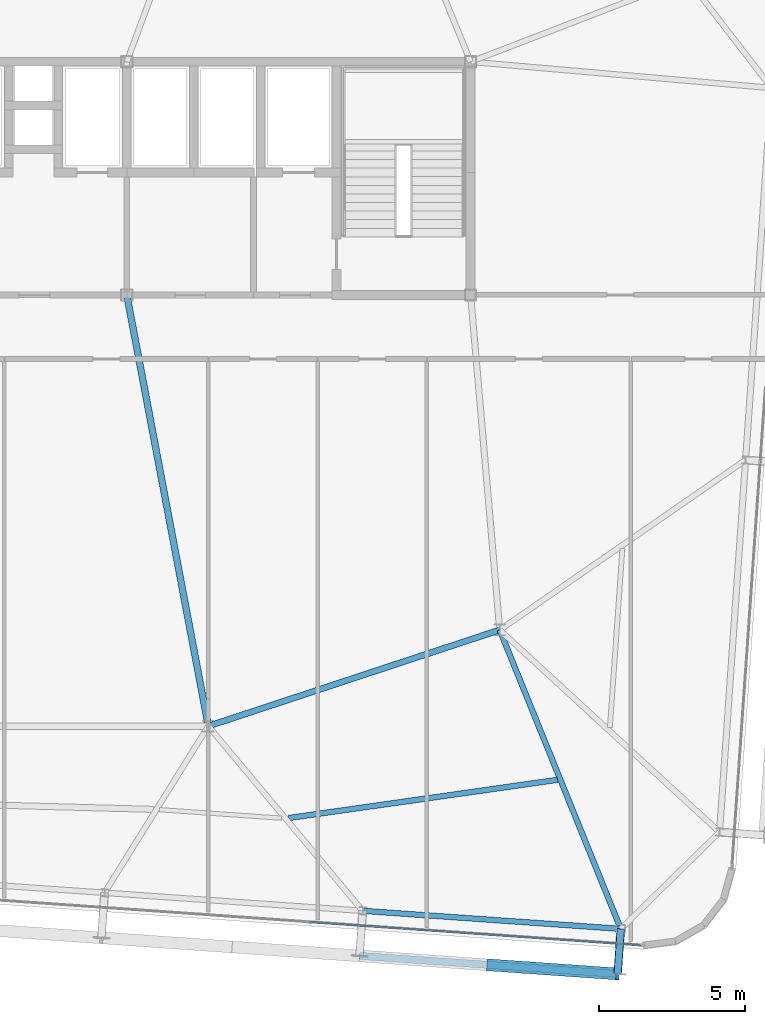
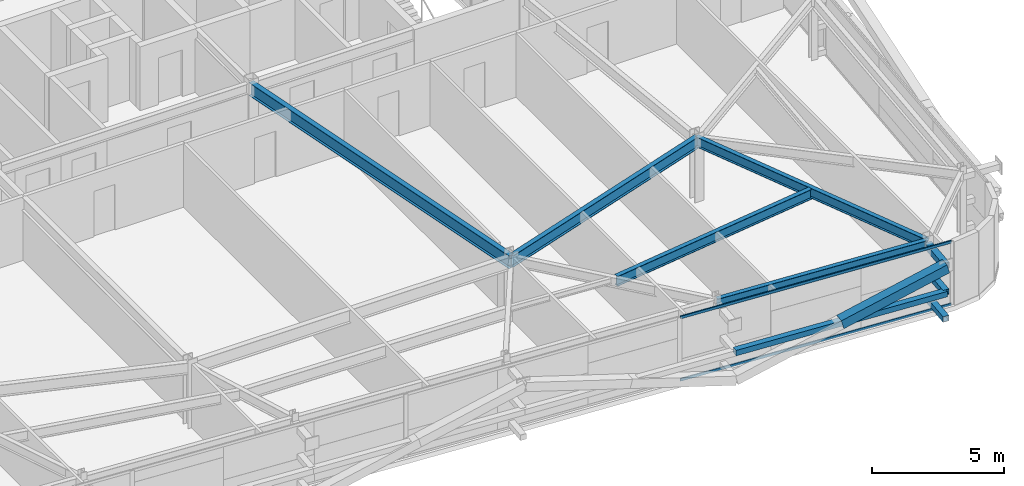
# One storey, part 14 of 39: 7 members, 5 beams, 1 element without a shape of its own.
"""IFC4 building model written with IfcOpenShell, lengths in metres."""

import ifcopenshell
import ifcopenshell.guid

model = None  # the IFC model being written
_history = None  # IfcOwnerHistory: only IFC2X3 demands one
_inside = {}  # id of a spatial element -> (the spatial element, [elements in it])
_under = {}  # id of a project, library or spatial element -> (it, [spatial elements below it])
_declared = {}  # id of a project -> (the project, [libraries it declares])
_typed = {}  # id of a type object -> (the type object, [elements of that type])
_made_of = {}  # id of a material, layer set ... -> (it, [elements and type objects made of it])


def new_model(schema):
    """Start an empty IFC model of exactly this schema.

    Asked for "IFC4X3", IfcOpenShell would pick the latest addendum, in which some entities
    have other attributes; the version numbers below select the first issue.
    IFC2X3 requires an IfcOwnerHistory on every rooted entity: one is made here for all.
    """
    global model, _history
    if schema == "IFC4X3":
        model = ifcopenshell.file(schema_version=(4, 3, 0, 0))
    else:
        model = ifcopenshell.file(schema=schema)
    _inside.clear()
    _under.clear()
    _declared.clear()
    _typed.clear()
    _made_of.clear()
    _history = None
    if model.schema == "IFC2X3":
        org = make("IfcOrganization", Name="unknown")
        user = make(
            "IfcPersonAndOrganization",
            ThePerson=make("IfcPerson", FamilyName="unknown"),
            TheOrganization=org,
        )
        app = make(
            "IfcApplication",
            ApplicationDeveloper=org,
            Version="unknown",
            ApplicationFullName="unknown",
            ApplicationIdentifier="unknown",
        )
        _history = make(
            "IfcOwnerHistory",
            OwningUser=user,
            OwningApplication=app,
            ChangeAction="ADDED",
            CreationDate=0,
        )
    return model


def make(cls, **values):
    """One entity of the class cls with the attributes given. An attribute that is None is left unset."""
    return model.create_entity(
        cls, **{name: value for name, value in values.items() if value is not None}
    )


def rooted(cls, **values):
    """An entity with a GlobalId (a new one), such as an element, a storey or a relation."""
    return make(cls, GlobalId=ifcopenshell.guid.new(), OwnerHistory=_history, **values)


def si_unit(unit_type, name, prefix=None):
    """IfcSIUnit, for example si_unit("LENGTHUNIT", "METRE", prefix="MILLI")."""
    return make("IfcSIUnit", UnitType=unit_type, Prefix=prefix, Name=name)


def assignment(units):
    """IfcUnitAssignment: the units of a project."""
    return None if units is None else make("IfcUnitAssignment", Units=units)


def point(xyz):
    """IfcCartesianPoint."""
    return None if xyz is None else make("IfcCartesianPoint", Coordinates=xyz)


def direction(xyz):
    """IfcDirection."""
    return None if xyz is None else make("IfcDirection", DirectionRatios=xyz)


def frame(location, z_axis=None, x_axis=None):
    """IfcAxis2Placement3D, a coordinate frame: its origin and axes. An axis left out is left unset."""
    return make(
        "IfcAxis2Placement3D",
        Location=point(location),
        Axis=direction(z_axis),
        RefDirection=direction(x_axis),
    )


def frame_2d(location, x_axis=None):
    """IfcAxis2Placement2D, a coordinate frame in the plane: its origin and x axis."""
    return make(
        "IfcAxis2Placement2D", Location=point(location), RefDirection=direction(x_axis)
    )


def origin():
    """The frame at (0, 0, 0) with its axes left unset."""
    return frame((0.0, 0.0, 0.0))


def origin_2d():
    """The frame at (0, 0) in the plane with its x axis left unset."""
    return frame_2d((0.0, 0.0))


def place(relative_to, where):
    """IfcLocalPlacement: puts the frame where relative to a parent placement (None: the world)."""
    return make(
        "IfcLocalPlacement", PlacementRelTo=relative_to, RelativePlacement=where
    )


def context(
    kind, dimensions, precision=None, world=None, true_north=None, identifier=None
):
    """IfcGeometricRepresentationContext, for example the 3D "Model" context."""
    return make(
        "IfcGeometricRepresentationContext",
        ContextIdentifier=identifier,
        ContextType=kind,
        CoordinateSpaceDimension=dimensions,
        Precision=precision,
        WorldCoordinateSystem=world,
        TrueNorth=true_north,
    )


def subcontext(parent, identifier, kind, view, scale=None):
    """IfcGeometricRepresentationSubContext, for example "Body" below "Model"."""
    return make(
        "IfcGeometricRepresentationSubContext",
        ContextIdentifier=identifier,
        ContextType=kind,
        ParentContext=parent,
        TargetScale=scale,
        TargetView=view,
    )


def project(units=None, contexts=None):
    """IfcProject with its units and contexts."""
    return rooted(
        "IfcProject",
        Name="project",
        RepresentationContexts=contexts,
        UnitsInContext=assignment(units),
    )


def spatial(cls, under=None, at=None, **own):
    """A site, building, storey or space (cls), placed at a placement, below another one or the project."""
    s = rooted(cls, ObjectPlacement=at, **own)
    if under is not None:
        _under.setdefault(under.id(), (under, []))[1].append(s)
    return s


def profile(cls, at=None, kind="AREA", **sizes):
    """A parametric profile (cls). Its sizes go by their IFC names, for example OverallWidth=200.0."""
    return make(cls, ProfileType=kind, Position=at, **sizes)


def hollow_rectangle(**sizes):
    """IfcRectangleHollowProfileDef."""
    return profile("IfcRectangleHollowProfileDef", **sizes)


def i_section(**sizes):
    """IfcIShapeProfileDef."""
    return profile("IfcIShapeProfileDef", **sizes)


def extrude(swept, where, along, depth):
    """IfcExtrudedAreaSolid: the profile swept, set in the frame where, extruded along a direction by depth."""
    return make(
        "IfcExtrudedAreaSolid",
        SweptArea=swept,
        Position=where,
        ExtrudedDirection=direction(along),
        Depth=depth,
    )


def shape(context_of_items, identifier, shape_type, items):
    """IfcShapeRepresentation: the items that make up one representation, for example the "Body"."""
    return make(
        "IfcShapeRepresentation",
        ContextOfItems=context_of_items,
        RepresentationIdentifier=identifier,
        RepresentationType=shape_type,
        Items=items,
    )


def source(mapping_origin, context_of_items, identifier, shape_type, items):
    """IfcRepresentationMap: a shape defined once, which mapped items show again and again."""
    return make(
        "IfcRepresentationMap",
        MappingOrigin=mapping_origin,
        MappedRepresentation=shape(context_of_items, identifier, shape_type, items),
    )


def transform(
    local_origin,
    x_axis=None,
    y_axis=None,
    z_axis=None,
    scale=None,
    scale2=None,
    scale3=None,
    uniform=True,
):
    """IfcCartesianTransformationOperator3D, or its non-uniform kind. x_axis, y_axis, z_axis: its Axis1, 2, 3."""
    if uniform:
        return make(
            "IfcCartesianTransformationOperator3D",
            Axis1=direction(x_axis),
            Axis2=direction(y_axis),
            LocalOrigin=point(local_origin),
            Scale=scale,
            Axis3=direction(z_axis),
        )
    return make(
        "IfcCartesianTransformationOperator3DnonUniform",
        Axis1=direction(x_axis),
        Axis2=direction(y_axis),
        LocalOrigin=point(local_origin),
        Scale=scale,
        Axis3=direction(z_axis),
        Scale2=scale2,
        Scale3=scale3,
    )


def mapped(mapping_source, mapping_target):
    """IfcMappedItem: shows the shape of a source again, moved by a transform."""
    return make(
        "IfcMappedItem", MappingSource=mapping_source, MappingTarget=mapping_target
    )


def material(Name=None, Category=None):
    """IfcMaterial."""
    return make("IfcMaterial", Name=Name, Category=Category)


def layer(
    of_material, thickness, ventilated=None, Name=None, Category=None, Priority=None
):
    """IfcMaterialLayer: one layer of a wall or slab, of a material (None: an air gap)."""
    return make(
        "IfcMaterialLayer",
        Material=of_material,
        LayerThickness=thickness,
        IsVentilated=ventilated,
        Name=Name,
        Category=Category,
        Priority=Priority,
    )


def layer_set(layers, Name=None):
    """IfcMaterialLayerSet."""
    return make("IfcMaterialLayerSet", MaterialLayers=layers, LayerSetName=Name)


def material_profile(
    of_material, cross_section, Name=None, Category=None, Priority=None
):
    """IfcMaterialProfile: a cross section and its material."""
    return make(
        "IfcMaterialProfile",
        Name=Name,
        Material=of_material,
        Profile=cross_section,
        Priority=Priority,
        Category=Category,
    )


def profile_set(profiles, Name=None, composite=None):
    """IfcMaterialProfileSet."""
    return make(
        "IfcMaterialProfileSet",
        Name=Name,
        MaterialProfiles=profiles,
        CompositeProfile=composite,
    )


def made_of(thing, what):
    """Note that an element or type object is made of a material, layer set ...; save() writes the relation."""
    if what is not None:
        _made_of.setdefault(what.id(), (what, []))[1].append(thing)
    return thing


def type_object(cls, material=None, **own):
    """A type object (cls), such as IfcWallType, which elements share."""
    return made_of(rooted(cls, **own), material)


def element(
    cls,
    number,
    at=None,
    inside=None,
    cuts=None,
    type_object=None,
    material=None,
    context=None,
    identifier="Body",
    shape_type=None,
    held_by="IfcProductDefinitionShape",
    body=None,
    shapes=None,
    **own,
):
    """One element of the class cls, such as IfcWall. Its Tag is "e" and its number.

    at: its placement. inside: the storey or other place that contains it. cuts: it is an
    opening in that element (IfcRelVoidsElement). A single representation is given by context,
    identifier, shape_type and body (its items); several are given by shapes. held_by: the class
    of the entity that holds the representations. save() writes the other relations.
    """
    e = rooted(cls, Tag="e%d" % number, ObjectPlacement=at, **own)
    if body is not None:
        shapes = [shape(context, identifier, shape_type, body)]
    if shapes is not None:
        e.Representation = make(held_by, Representations=shapes)
    if inside is not None:
        _inside.setdefault(inside.id(), (inside, []))[1].append(e)
    if cuts is not None:
        rooted(
            "IfcRelVoidsElement", RelatingBuildingElement=cuts, RelatedOpeningElement=e
        )
    if type_object is not None:
        _typed.setdefault(type_object.id(), (type_object, []))[1].append(e)
    return made_of(e, material)


def aggregate(whole, parts):
    """IfcRelAggregates: a whole, such as a stair, and the parts it consists of."""
    return rooted("IfcRelAggregates", RelatingObject=whole, RelatedObjects=parts)


def save(model, path):
    """Write the relations noted so far, then the file.

    IfcRelAggregates (storeys below a building ...), IfcRelContainedInSpatialStructure (elements
    in a storey), IfcRelDefinesByType, IfcRelAssociatesMaterial and IfcRelDeclares: one each for
    every whole, place, type object, material and project.
    """
    for whole, parts in _under.values():
        aggregate(whole, parts)
    for where, things in _inside.values():
        rooted(
            "IfcRelContainedInSpatialStructure",
            RelatedElements=things,
            RelatingStructure=where,
        )
    for kind, things in _typed.values():
        rooted("IfcRelDefinesByType", RelatedObjects=things, RelatingType=kind)
    for what, things in _made_of.values():
        rooted("IfcRelAssociatesMaterial", RelatedObjects=things, RelatingMaterial=what)
    for by, libraries in _declared.values():
        rooted("IfcRelDeclares", RelatingContext=by, RelatedDefinitions=libraries)
    model.write(path)


model = new_model("IFC4")

# Units and contexts
model_context = context("Model", 3, precision=1e-05, world=origin(), true_north=direction((0.0, 1.0)))
body_context = subcontext(model_context, "Body", "Model", "MODEL_VIEW")
ifc_project = project(units=[si_unit("LENGTHUNIT", "METRE"), si_unit("AREAUNIT", "SQUARE_METRE"), si_unit("VOLUMEUNIT", "CUBIC_METRE"), si_unit("PLANEANGLEUNIT", "RADIAN"), si_unit("MASSUNIT", "GRAM", prefix="KILO")], contexts=[model_context])

# Site, building, storey
site_placement = place(None, origin())
site = spatial("IfcSite", under=ifc_project, at=site_placement, CompositionType="ELEMENT")
building_placement = place(site_placement, origin())
building = spatial("IfcBuilding", under=site, at=building_placement, Name="Taldren Reach Tower", CompositionType="ELEMENT")
storey_placement = place(building_placement, frame((0.0, 0.0, 151.89990234375)))
storey = spatial("IfcBuildingStorey", under=building, at=storey_placement, Name="L46", CompositionType="ELEMENT", Elevation=151.89990234375)

# Beams
ifc_material_1 = material(Name="Steel Gr 350 (350PLUS)", Category="steel")
ifc_material_profile_1 = material_profile(ifc_material_1, i_section(OverallWidth=0.208984375, OverallDepth=0.532958984375, WebThickness=0.01025390625, FlangeThickness=0.015625, at=origin_2d()), Name="530UB92.4")
ifc_profile_set_1 = profile_set([ifc_material_profile_1], Name="Steel Gr 350 (350PLUS)")
beam_type_1 = type_object("IfcBeamType", Name="BM-UB530A", PredefinedType="BEAM", material=ifc_profile_set_1)
shared_shape_1 = source(origin(), body_context, "Body", "SweptSolid", [
    extrude(i_section(OverallWidth=0.208984375, OverallDepth=0.532958984375, WebThickness=0.01025390625, FlangeThickness=0.015625, at=origin_2d()), origin(), (0.0, 0.0, 1.0), 10.530517578125),
])
beam_1_placement = place(storey_placement, frame((42.0, 9.199951171875, 2.66357421875), z_axis=(0.949627269203, 0.313381635689, 0.0), x_axis=(-0.313381635689, 0.949627269203, 0.0)))
element("IfcBeam", 1, at=beam_1_placement, inside=storey, type_object=beam_type_1, Name="Core-spine girder L46-SP12", PredefinedType="BEAM", context=body_context, shape_type="MappedRepresentation", body=[
    mapped(shared_shape_1, transform((0.0, 0.0, 0.0), scale=1.0)),
])
ifc_material_profile_2 = material_profile(ifc_material_1, i_section(OverallWidth=0.22802734375, OverallDepth=0.60205078125, WebThickness=0.010498046875, FlangeThickness=0.014892578125, at=origin_2d()), Name="610UB101")
ifc_profile_set_2 = profile_set([ifc_material_profile_2], Name="Steel Gr 350 (350PLUS)")
beam_type_2 = type_object("IfcBeamType", Name="BM-UB610B", PredefinedType="BEAM", material=ifc_profile_set_2)
shared_shape_2 = source(origin(), body_context, "Body", "SweptSolid", [
    extrude(i_section(OverallWidth=0.22802734375, OverallDepth=0.60205078125, WebThickness=0.010498046875, FlangeThickness=0.014892578125, at=origin_2d()), origin(), (0.0, 0.0, 1.0), 15.0625),
])
beam_2_placement = place(storey_placement, frame((39.199951171875, 24.0, 2.629150390625), z_axis=(0.185894205668, -0.982569765614, 0.0), x_axis=(0.982569765614, 0.185894205668, 0.0)))
element("IfcBeam", 2, at=beam_2_placement, inside=storey, type_object=beam_type_2, Name="Core-spine girder L46-SP15", PredefinedType="BEAM", context=body_context, shape_type="MappedRepresentation", body=[
    mapped(shared_shape_2, transform((0.0, 0.0, 0.0), scale=1.0)),
])

# Members
ifc_material_2 = material(Name="Steel Gr 450 (C450L0)", Category="steel")
ifc_material_profile_3 = material_profile(ifc_material_2, hollow_rectangle(XDim=0.27490234375, YDim=0.27490234375, WallThickness=0.00927734375, at=origin_2d()), Name="275x275x9.3SHS")
ifc_profile_set_3 = profile_set([ifc_material_profile_3], Name="Steel Gr 450 (C450L0)")
member_type_1 = type_object("IfcMemberType", Name="MB-TIE273", PredefinedType="STRUT", material=ifc_profile_set_3)
shared_shape_3 = source(origin(), body_context, "Body", "SweptSolid", [
    extrude(hollow_rectangle(XDim=0.27490234375, YDim=0.27490234375, WallThickness=0.00927734375, at=origin_2d()), origin(), (0.0, 0.0, 1.0), 1.5498046875),
])
member_1_placement = place(storey_placement, frame((56.155517578125, 2.2412109375, 2.650146484375), z_axis=(-0.069780535098, -0.997562367434, 0.0), x_axis=(0.997562367434, -0.069780535098, 0.0)))
element("IfcMember", 3, at=member_1_placement, inside=storey, type_object=member_type_1, Name="Exoskeleton diaphragm tie strut B3-S6 L46", PredefinedType="STRUT", context=body_context, shape_type="MappedRepresentation", body=[
    mapped(shared_shape_3, transform((0.0, 0.0, 0.0), scale=1.0)),
])
ifc_material_3 = material(Name="Steel Gr 350 (C350L0)", Category="steel")
ifc_material_profile_4 = material_profile(ifc_material_3, hollow_rectangle(XDim=0.25, YDim=0.25, WallThickness=0.010009765625, at=origin_2d()), Name="250x250x10.0SHS")
ifc_profile_set_4 = profile_set([ifc_material_profile_4], Name="Steel Gr 350 (C350L0)")
member_type_2 = type_object("IfcMemberType", Name="MB-POST250", PredefinedType="POST", material=ifc_profile_set_4)
shared_shape_4 = source(origin(), body_context, "Body", "SweptSolid", [
    extrude(hollow_rectangle(XDim=0.25, YDim=0.25, WallThickness=0.010009765625, at=origin_2d()), origin(), (0.0, 0.0, 1.0), 1.5498046875),
])
for number, where, z_axis, x_axis, name in (
    (4, (56.155517578125, 2.2412109375, 0.22021484375), (-0.069780535098, -0.997562367434, 0.0), (0.997562367434, -0.069780535098, 0.0), "Exoskeleton base diaphragm tie strut B3-S6 L46"),
    (5, (56.155517578125, 2.2412109375, 1.43505859375), (-0.069780535098, -0.997562367434, 0.0), (0.997562367434, -0.069780535098, 0.0), "Exoskeleton mid-tier diaphragm tie B3-S6 L46"),
):
    element("IfcMember", number, at=place(storey_placement, frame(where, z_axis=z_axis, x_axis=x_axis)), inside=storey, type_object=member_type_2, Name=name, PredefinedType="POST", context=body_context, shape_type="MappedRepresentation", body=[
        mapped(shared_shape_4, transform((0.0, 0.0, 0.0), scale=1.0)),
    ])

# Beams
ifc_material_profile_5 = material_profile(ifc_material_1, i_section(OverallWidth=0.18994140625, OverallDepth=0.4541015625, WebThickness=0.008544921875, FlangeThickness=0.0126953125, at=origin_2d()), Name="460UB67.1")
ifc_profile_set_5 = profile_set([ifc_material_profile_5], Name="Steel Gr 350 (350PLUS)")
beam_type_3 = type_object("IfcBeamType", Name="SP-UB460B", PredefinedType="SPANDREL", material=ifc_profile_set_5)
shared_shape_5 = source(origin(), body_context, "Body", "SweptSolid", [
    extrude(i_section(OverallWidth=0.18994140625, OverallDepth=0.4541015625, WebThickness=0.008544921875, FlangeThickness=0.0126953125, at=origin_2d()), origin(), (0.0, 0.0, 1.0), 8.880126953125),
])
beam_3_placement = place(storey_placement, frame((47.297119140625, 2.860595703125, 2.703125), z_axis=(0.997564479639, -0.069750333063, 0.0), x_axis=(0.069750333063, 0.997564479639, 0.0)))
element("IfcBeam", 6, at=beam_3_placement, inside=storey, type_object=beam_type_3, Name="Perimeter spandrel B3 S5-S6 L46", PredefinedType="SPANDREL", context=body_context, shape_type="MappedRepresentation", body=[
    mapped(shared_shape_5, transform((0.0, 0.0, 0.0), scale=1.0)),
])
ifc_material_profile_6 = material_profile(ifc_material_1, i_section(OverallWidth=0.19091796875, OverallDepth=0.4599609375, WebThickness=0.010009765625, FlangeThickness=0.01611328125, at=origin_2d()), Name="460UB82.1")
ifc_profile_set_6 = profile_set([ifc_material_profile_6], Name="Steel Gr 350 (350PLUS)")
beam_type_4 = type_object("IfcBeamType", Name="BM-UB460A", PredefinedType="BEAM", material=ifc_profile_set_6)
shared_shape_6 = source(origin(), body_context, "Body", "SweptSolid", [
    extrude(i_section(OverallWidth=0.19091796875, OverallDepth=0.4599609375, WebThickness=0.010009765625, FlangeThickness=0.01611328125, at=origin_2d()), origin(), (0.0, 0.0, 1.0), 11.068359375),
])
beam_4_placement = place(storey_placement, frame((52.0, 12.5, 2.7001953125), z_axis=(0.375437319636, -0.92684778633, 0.0), x_axis=(0.92684778633, 0.375437319636, 0.0)))
element("IfcBeam", 7, at=beam_4_placement, inside=storey, type_object=beam_type_4, Name="Primary floor girder B3-S6 L46", PredefinedType="BEAM", context=body_context, shape_type="MappedRepresentation", body=[
    mapped(shared_shape_6, transform((0.0, 0.0, 0.0), scale=1.0)),
])
shared_shape_7 = source(origin(), body_context, "Body", "SweptSolid", [
    extrude(i_section(OverallWidth=0.19091796875, OverallDepth=0.4599609375, WebThickness=0.010009765625, FlangeThickness=0.01611328125, at=origin_2d()), origin(), (0.0, 0.0, 1.0), 9.313232421875),
])
beam_5_placement = place(storey_placement, frame((44.759765625, 6.046142578125, 2.7001953125), z_axis=(0.990049385514, 0.140720340547, 0.0), x_axis=(-0.140720340547, 0.990049385514, 0.0)))
element("IfcBeam", 8, at=beam_5_placement, inside=storey, type_object=beam_type_4, Name="Secondary floor beam B3 J5 L46", PredefinedType="BEAM", context=body_context, shape_type="MappedRepresentation", body=[
    mapped(shared_shape_7, transform((0.0, 0.0, 0.0), scale=1.0)),
])

# Members
shared_shape_8 = source(origin(), body_context, "Body", "SweptSolid", [
    extrude(hollow_rectangle(XDim=0.25, YDim=0.25, WallThickness=0.010009765625, at=origin_2d()), origin(), (0.0, 0.0, 1.0), 8.880126953125),
])
member_2_placement = place(storey_placement, frame((47.18896484375, 1.314453125, 1.43505859375), z_axis=(0.997564479639, -0.069750333063, 0.0), x_axis=(0.069750333063, 0.997564479639, 0.0)))
element("IfcMember", 9, at=member_2_placement, inside=storey, type_object=member_type_2, Name="Exoskeleton mid-height ring chord B3-S5 L46", PredefinedType="POST", context=body_context, shape_type="MappedRepresentation", body=[
    mapped(shared_shape_8, transform((0.0, 0.0, 0.0), scale=1.0)),
])
ifc_material_profile_7 = material_profile(ifc_material_2, hollow_rectangle(XDim=0.409912109375, YDim=0.409912109375, WallThickness=0.01611328125, at=origin_2d()), Name="410x410x16.0SHS")
ifc_profile_set_7 = profile_set([ifc_material_profile_7], Name="Steel Gr 450 (C450L0)")
member_type_3 = type_object("IfcMemberType", Name="MB-EXO406", PredefinedType="BRACE", material=ifc_profile_set_7)
shared_shape_9 = source(origin(), body_context, "Body", "SweptSolid", [
    extrude(hollow_rectangle(XDim=0.409912109375, YDim=0.409912109375, WallThickness=0.01611328125, at=origin_2d()), origin(), (0.0, 0.0, 1.0), 4.603271484375),
])
member_3_placement = place(storey_placement, frame((51.6181640625, 1.004638671875, 1.43505859375), z_axis=(0.962185784239, -0.067250114343, 0.263962002434), x_axis=(0.069722973508, 0.997566392259, 0.0)))
element("IfcMember", 10, at=member_3_placement, inside=storey, type_object=member_type_3, Name="Exoskeleton Diagrid Brace B3-S5 L46", PredefinedType="BRACE", context=body_context, shape_type="MappedRepresentation", body=[
    mapped(shared_shape_9, transform((0.0, 0.0, 0.0), scale=1.0)),
])

# Curtain wall, members
ifc_material_4 = material(Name="Aluminium and Low-E Glass Unitised System", Category="aluminium")
ifc_layer = layer(ifc_material_4, 0.159912109375)
ifc_layer_set = layer_set([ifc_layer], Name="Aluminium and Low-E Glass Unitised System")
curtain_wall_type = type_object("IfcCurtainWallType", Name="CW-SYS-4", PredefinedType="NOTDEFINED", material=ifc_layer_set)
curtain_wall_placement = place(storey_placement, origin())
curtain_wall = element("IfcCurtainWall", 11, at=curtain_wall_placement, inside=storey, type_object=curtain_wall_type, Name="Unitised curtain wall CW-L46-S", PredefinedType="NOTDEFINED")
ifc_material_5 = material(Name="Anodised Aluminium 6063-T6", Category="aluminium")
ifc_material_profile_8 = material_profile(ifc_material_5, hollow_rectangle(XDim=0.054931640625, YDim=0.1201171875, WallThickness=0.0029296875, at=origin_2d()), Name="ALU-120x55x3RHS")
ifc_profile_set_8 = profile_set([ifc_material_profile_8], Name="Anodised Aluminium 6063-T6")
member_type_4 = type_object("IfcMemberType", Name="CW-TRN-135", PredefinedType="USERDEFINED", material=ifc_profile_set_8)
shared_shape_10 = source(origin(), body_context, "Body", "SweptSolid", [
    extrude(hollow_rectangle(XDim=0.054931640625, YDim=0.1201171875, WallThickness=0.0029296875, at=origin_2d()), origin(), (0.0, 0.0, 1.0), 11.395263671875),
])
member_4_placement = place(storey_placement, frame((45.480712890625, 2.476318359375, 0.027587890625), z_axis=(0.997565335668, -0.069738089122, 0.0), x_axis=(0.069738089122, 0.997565335668, 0.0)))
member_4 = element("IfcMember", 12, at=member_4_placement, type_object=member_type_4, Name="CW-4 transom 4.1", ObjectType="TRANSOM", PredefinedType="USERDEFINED", context=body_context, shape_type="MappedRepresentation", body=[
    mapped(shared_shape_10, transform((0.0, 0.0, 0.0), scale=1.0)),
])
member_5_placement = place(storey_placement, frame((45.480712890625, 2.476318359375, 2.902587890625), z_axis=(0.997565335668, -0.069738089122, 0.0), x_axis=(0.069738089122, 0.997565335668, 0.0)))
member_5 = element("IfcMember", 13, at=member_5_placement, type_object=member_type_4, Name="CW-4 transom 4.2", ObjectType="TRANSOM", PredefinedType="USERDEFINED", context=body_context, shape_type="MappedRepresentation", body=[
    mapped(shared_shape_10, transform((0.0, 0.0, 0.0), scale=1.0)),
])
aggregate(curtain_wall, [member_4, member_5])

save(model, "model.ifc")
